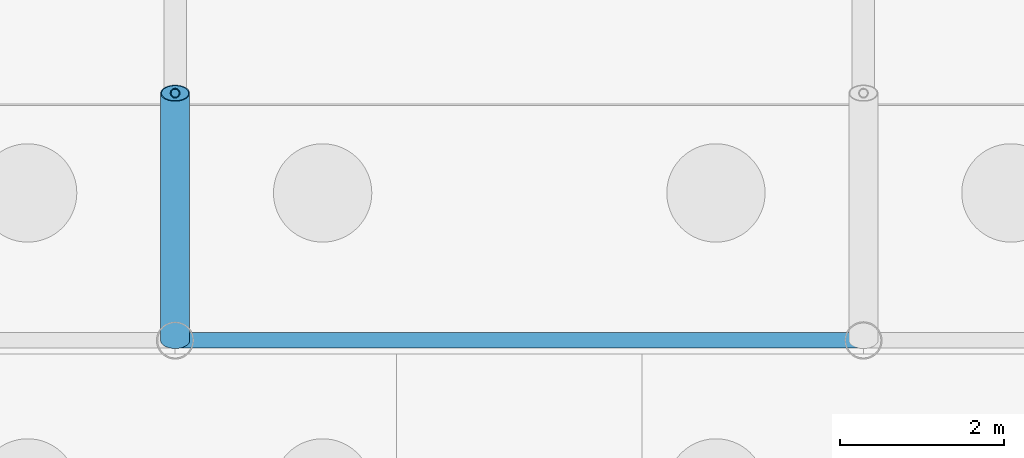
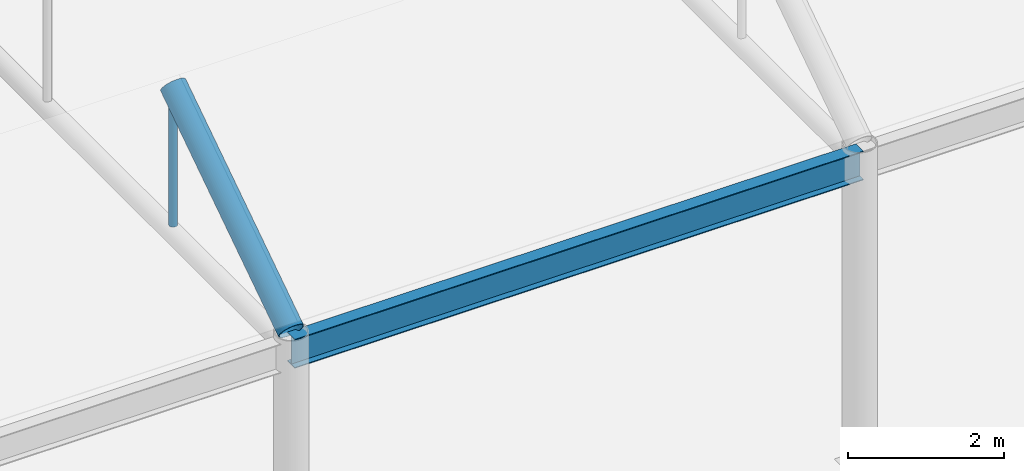
# One storey, part 40 of 212: 2 members, 1 beam.
"""IFC4 building model written with IfcOpenShell, lengths in metres."""

import ifcopenshell
import ifcopenshell.guid

model = None  # the IFC model being written
_history = None  # IfcOwnerHistory: only IFC2X3 demands one
_inside = {}  # id of a spatial element -> (the spatial element, [elements in it])
_under = {}  # id of a project, library or spatial element -> (it, [spatial elements below it])
_declared = {}  # id of a project -> (the project, [libraries it declares])
_typed = {}  # id of a type object -> (the type object, [elements of that type])
_made_of = {}  # id of a material, layer set ... -> (it, [elements and type objects made of it])


def new_model(schema):
    """Start an empty IFC model of exactly this schema.

    Asked for "IFC4X3", IfcOpenShell would pick the latest addendum, in which some entities
    have other attributes; the version numbers below select the first issue.
    IFC2X3 requires an IfcOwnerHistory on every rooted entity: one is made here for all.
    """
    global model, _history
    if schema == "IFC4X3":
        model = ifcopenshell.file(schema_version=(4, 3, 0, 0))
    else:
        model = ifcopenshell.file(schema=schema)
    _inside.clear()
    _under.clear()
    _declared.clear()
    _typed.clear()
    _made_of.clear()
    _history = None
    if model.schema == "IFC2X3":
        org = make("IfcOrganization", Name="unknown")
        user = make(
            "IfcPersonAndOrganization",
            ThePerson=make("IfcPerson", FamilyName="unknown"),
            TheOrganization=org,
        )
        app = make(
            "IfcApplication",
            ApplicationDeveloper=org,
            Version="unknown",
            ApplicationFullName="unknown",
            ApplicationIdentifier="unknown",
        )
        _history = make(
            "IfcOwnerHistory",
            OwningUser=user,
            OwningApplication=app,
            ChangeAction="ADDED",
            CreationDate=0,
        )
    return model


def make(cls, **values):
    """One entity of the class cls with the attributes given. An attribute that is None is left unset."""
    return model.create_entity(
        cls, **{name: value for name, value in values.items() if value is not None}
    )


def rooted(cls, **values):
    """An entity with a GlobalId (a new one), such as an element, a storey or a relation."""
    return make(cls, GlobalId=ifcopenshell.guid.new(), OwnerHistory=_history, **values)


def si_unit(unit_type, name, prefix=None):
    """IfcSIUnit, for example si_unit("LENGTHUNIT", "METRE", prefix="MILLI")."""
    return make("IfcSIUnit", UnitType=unit_type, Prefix=prefix, Name=name)


def assignment(units):
    """IfcUnitAssignment: the units of a project."""
    return None if units is None else make("IfcUnitAssignment", Units=units)


def point(xyz):
    """IfcCartesianPoint."""
    return None if xyz is None else make("IfcCartesianPoint", Coordinates=xyz)


def direction(xyz):
    """IfcDirection."""
    return None if xyz is None else make("IfcDirection", DirectionRatios=xyz)


def frame(location, z_axis=None, x_axis=None):
    """IfcAxis2Placement3D, a coordinate frame: its origin and axes. An axis left out is left unset."""
    return make(
        "IfcAxis2Placement3D",
        Location=point(location),
        Axis=direction(z_axis),
        RefDirection=direction(x_axis),
    )


def frame_2d(location, x_axis=None):
    """IfcAxis2Placement2D, a coordinate frame in the plane: its origin and x axis."""
    return make(
        "IfcAxis2Placement2D", Location=point(location), RefDirection=direction(x_axis)
    )


def origin():
    """The frame at (0, 0, 0) with its axes left unset."""
    return frame((0.0, 0.0, 0.0))


def origin_2d():
    """The frame at (0, 0) in the plane with its x axis left unset."""
    return frame_2d((0.0, 0.0))


def place(relative_to, where):
    """IfcLocalPlacement: puts the frame where relative to a parent placement (None: the world)."""
    return make(
        "IfcLocalPlacement", PlacementRelTo=relative_to, RelativePlacement=where
    )


def context(
    kind, dimensions, precision=None, world=None, true_north=None, identifier=None
):
    """IfcGeometricRepresentationContext, for example the 3D "Model" context."""
    return make(
        "IfcGeometricRepresentationContext",
        ContextIdentifier=identifier,
        ContextType=kind,
        CoordinateSpaceDimension=dimensions,
        Precision=precision,
        WorldCoordinateSystem=world,
        TrueNorth=true_north,
    )


def subcontext(parent, identifier, kind, view, scale=None):
    """IfcGeometricRepresentationSubContext, for example "Body" below "Model"."""
    return make(
        "IfcGeometricRepresentationSubContext",
        ContextIdentifier=identifier,
        ContextType=kind,
        ParentContext=parent,
        TargetScale=scale,
        TargetView=view,
    )


def project(units=None, contexts=None):
    """IfcProject with its units and contexts."""
    return rooted(
        "IfcProject",
        Name="project",
        RepresentationContexts=contexts,
        UnitsInContext=assignment(units),
    )


def spatial(cls, under=None, at=None, **own):
    """A site, building, storey or space (cls), placed at a placement, below another one or the project."""
    s = rooted(cls, ObjectPlacement=at, **own)
    if under is not None:
        _under.setdefault(under.id(), (under, []))[1].append(s)
    return s


def profile(cls, at=None, kind="AREA", **sizes):
    """A parametric profile (cls). Its sizes go by their IFC names, for example OverallWidth=200.0."""
    return make(cls, ProfileType=kind, Position=at, **sizes)


def hollow_circle(**sizes):
    """IfcCircleHollowProfileDef."""
    return profile("IfcCircleHollowProfileDef", **sizes)


def i_section(**sizes):
    """IfcIShapeProfileDef."""
    return profile("IfcIShapeProfileDef", **sizes)


def extrude(swept, where, along, depth):
    """IfcExtrudedAreaSolid: the profile swept, set in the frame where, extruded along a direction by depth."""
    return make(
        "IfcExtrudedAreaSolid",
        SweptArea=swept,
        Position=where,
        ExtrudedDirection=direction(along),
        Depth=depth,
    )


def shape(context_of_items, identifier, shape_type, items):
    """IfcShapeRepresentation: the items that make up one representation, for example the "Body"."""
    return make(
        "IfcShapeRepresentation",
        ContextOfItems=context_of_items,
        RepresentationIdentifier=identifier,
        RepresentationType=shape_type,
        Items=items,
    )


def material(Name=None, Category=None):
    """IfcMaterial."""
    return make("IfcMaterial", Name=Name, Category=Category)


def material_profile(
    of_material, cross_section, Name=None, Category=None, Priority=None
):
    """IfcMaterialProfile: a cross section and its material."""
    return make(
        "IfcMaterialProfile",
        Name=Name,
        Material=of_material,
        Profile=cross_section,
        Priority=Priority,
        Category=Category,
    )


def profile_set(profiles, Name=None, composite=None):
    """IfcMaterialProfileSet."""
    return make(
        "IfcMaterialProfileSet",
        Name=Name,
        MaterialProfiles=profiles,
        CompositeProfile=composite,
    )


def made_of(thing, what):
    """Note that an element or type object is made of a material, layer set ...; save() writes the relation."""
    if what is not None:
        _made_of.setdefault(what.id(), (what, []))[1].append(thing)
    return thing


def type_object(cls, material=None, **own):
    """A type object (cls), such as IfcWallType, which elements share."""
    return made_of(rooted(cls, **own), material)


def element(
    cls,
    number,
    at=None,
    inside=None,
    cuts=None,
    type_object=None,
    material=None,
    context=None,
    identifier="Body",
    shape_type=None,
    held_by="IfcProductDefinitionShape",
    body=None,
    shapes=None,
    **own,
):
    """One element of the class cls, such as IfcWall. Its Tag is "e" and its number.

    at: its placement. inside: the storey or other place that contains it. cuts: it is an
    opening in that element (IfcRelVoidsElement). A single representation is given by context,
    identifier, shape_type and body (its items); several are given by shapes. held_by: the class
    of the entity that holds the representations. save() writes the other relations.
    """
    e = rooted(cls, Tag="e%d" % number, ObjectPlacement=at, **own)
    if body is not None:
        shapes = [shape(context, identifier, shape_type, body)]
    if shapes is not None:
        e.Representation = make(held_by, Representations=shapes)
    if inside is not None:
        _inside.setdefault(inside.id(), (inside, []))[1].append(e)
    if cuts is not None:
        rooted(
            "IfcRelVoidsElement", RelatingBuildingElement=cuts, RelatedOpeningElement=e
        )
    if type_object is not None:
        _typed.setdefault(type_object.id(), (type_object, []))[1].append(e)
    return made_of(e, material)


def aggregate(whole, parts):
    """IfcRelAggregates: a whole, such as a stair, and the parts it consists of."""
    return rooted("IfcRelAggregates", RelatingObject=whole, RelatedObjects=parts)


def save(model, path):
    """Write the relations noted so far, then the file.

    IfcRelAggregates (storeys below a building ...), IfcRelContainedInSpatialStructure (elements
    in a storey), IfcRelDefinesByType, IfcRelAssociatesMaterial and IfcRelDeclares: one each for
    every whole, place, type object, material and project.
    """
    for whole, parts in _under.values():
        aggregate(whole, parts)
    for where, things in _inside.values():
        rooted(
            "IfcRelContainedInSpatialStructure",
            RelatedElements=things,
            RelatingStructure=where,
        )
    for kind, things in _typed.values():
        rooted("IfcRelDefinesByType", RelatedObjects=things, RelatingType=kind)
    for what, things in _made_of.values():
        rooted("IfcRelAssociatesMaterial", RelatedObjects=things, RelatingMaterial=what)
    for by, libraries in _declared.values():
        rooted("IfcRelDeclares", RelatingContext=by, RelatedDefinitions=libraries)
    model.write(path)


model = new_model("IFC4")

# Units and contexts
model_context = context("Model", 3, precision=1e-05, world=origin(), true_north=direction((0.0, 1.0)))
body_context = subcontext(model_context, "Body", "Model", "MODEL_VIEW")
ifc_project = project(units=[si_unit("LENGTHUNIT", "METRE"), si_unit("AREAUNIT", "SQUARE_METRE"), si_unit("VOLUMEUNIT", "CUBIC_METRE"), si_unit("PLANEANGLEUNIT", "RADIAN"), si_unit("MASSUNIT", "GRAM", prefix="KILO")], contexts=[model_context])

# Site, building, storey
site_placement = place(None, origin())
site = spatial("IfcSite", under=ifc_project, at=site_placement, CompositionType="ELEMENT")
building_placement = place(site_placement, origin())
building = spatial("IfcBuilding", under=site, at=building_placement, Name="Catenary Quay Ferry Terminal", CompositionType="ELEMENT")
storey_placement = place(building_placement, origin())
storey = spatial("IfcBuildingStorey", under=building, at=storey_placement, Name="L00", CompositionType="ELEMENT", Elevation=0.0)

# Beam
ifc_material_1 = material(Name="Steel S355", Category="steel")
ifc_material_profile_1 = material_profile(ifc_material_1, i_section(OverallWidth=0.18994140625, OverallDepth=0.453369140625, WebThickness=0.008544921875, FlangeThickness=0.0126953125, at=origin_2d()), Name="UB 457x191x67")
ifc_profile_set_1 = profile_set([ifc_material_profile_1], Name="Steel S355")
beam_type = type_object("IfcBeamType", Name="B1 UB 457x191x67", PredefinedType="BEAM", material=ifc_profile_set_1)
beam_placement = place(storey_placement, frame((42.0, 16.800048828125, 4.699951171875), z_axis=(1.0, 0.0, 0.0), x_axis=(0.0, 1.0, 0.0)))
element("IfcBeam", 1, at=beam_placement, inside=storey, type_object=beam_type, Name="Eaves beam B-CA3-4", PredefinedType="BEAM", context=body_context, shape_type="SweptSolid", body=[
    extrude(i_section(OverallWidth=0.18994140625, OverallDepth=0.453369140625, WebThickness=0.008544921875, FlangeThickness=0.0126953125, at=origin_2d()), origin(), (0.0, 0.0, 1.0), 8.39990234375),
])

# Members
ifc_material_2 = material(Name="Steel S355", Category="steel")
ifc_material_profile_2 = material_profile(ifc_material_2, hollow_circle(Radius=0.05712890625, WallThickness=0.00634765625, at=origin_2d()), Name="CHS 114.3x6.3")
ifc_profile_set_2 = profile_set([ifc_material_profile_2], Name="Steel S355")
member_type_1 = type_object("IfcMemberType", Name="HG1 CHS 114.3x6.3", PredefinedType="POST", material=ifc_profile_set_2)
member_1_placement = place(storey_placement, frame((42.0, 19.818115234375, 4.830078125), z_axis=(0.0, 0.0, 1.0), x_axis=(1.0, 0.0, 0.0)))
element("IfcMember", 2, at=member_1_placement, inside=storey, type_object=member_type_1, Name="Hanger CA-04-01", PredefinedType="POST", context=body_context, shape_type="SweptSolid", body=[
    extrude(hollow_circle(Radius=0.05712890625, WallThickness=0.00634765625, at=origin_2d()), origin(), (0.0, 0.0, 1.0), 2.010986328125),
])
ifc_material_3 = material(Name="Steel S355", Category="steel")
ifc_material_profile_3 = material_profile(ifc_material_3, hollow_circle(Radius=0.177734375, WallThickness=0.012451171875, at=origin_2d()), Name="CHS 355.6x12.5")
ifc_profile_set_3 = profile_set([ifc_material_profile_3], Name="Steel S355")
member_type_2 = type_object("IfcMemberType", Name="VR1 CHS 355.6x12.5", PredefinedType="RAFTER", material=ifc_profile_set_3)
member_2_placement = place(storey_placement, frame((42.0, 16.800048828125, 5.0), z_axis=(0.0, 0.831936388081, 0.554871017613), x_axis=(-1.0, 0.0, 0.0)))
element("IfcMember", 3, at=member_2_placement, inside=storey, type_object=member_type_2, Name="rib CA-04-01", PredefinedType="RAFTER", context=body_context, shape_type="SweptSolid", body=[
    extrude(hollow_circle(Radius=0.177734375, WallThickness=0.012451171875, at=origin_2d()), origin(), (0.0, 0.0, 1.0), 3.627685546875),
])

save(model, "model.ifc")
